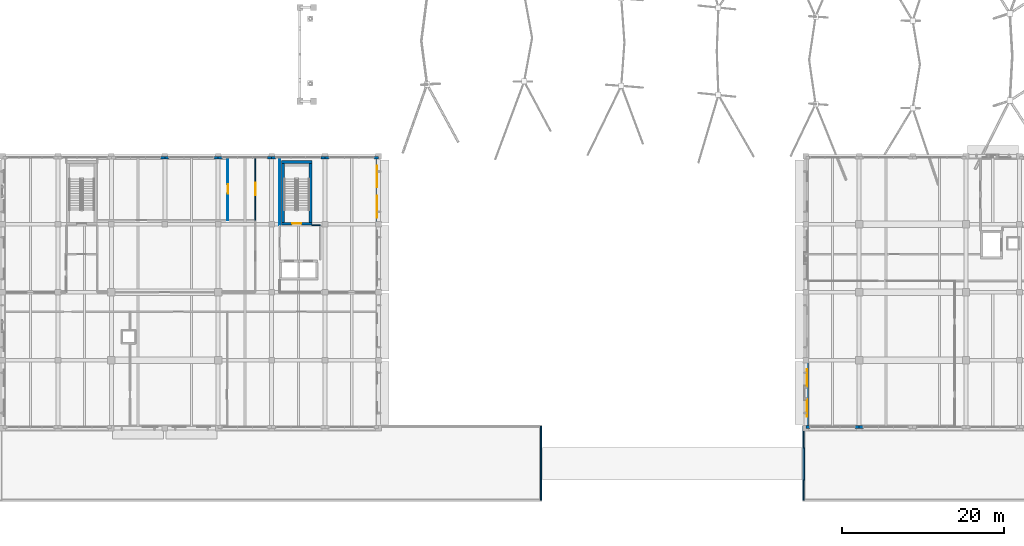
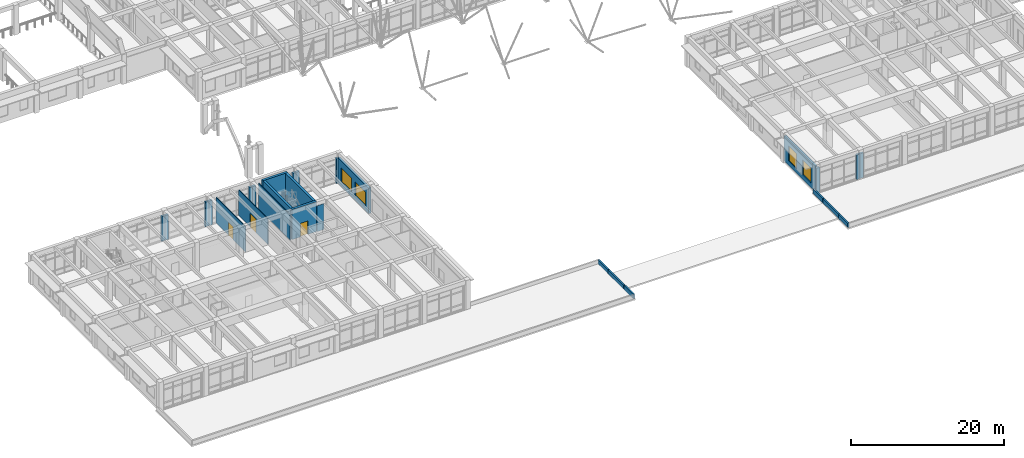
# One storey, part 44 of 75: 28 walls, 4 windows, 3 doors, 7 openings.
"""IFC4 building model written with IfcOpenShell, lengths in metres."""

import ifcopenshell
import ifcopenshell.guid

model = None  # the IFC model being written
_history = None  # IfcOwnerHistory: only IFC2X3 demands one
_inside = {}  # id of a spatial element -> (the spatial element, [elements in it])
_under = {}  # id of a project, library or spatial element -> (it, [spatial elements below it])
_declared = {}  # id of a project -> (the project, [libraries it declares])
_typed = {}  # id of a type object -> (the type object, [elements of that type])
_made_of = {}  # id of a material, layer set ... -> (it, [elements and type objects made of it])


def new_model(schema):
    """Start an empty IFC model of exactly this schema.

    Asked for "IFC4X3", IfcOpenShell would pick the latest addendum, in which some entities
    have other attributes; the version numbers below select the first issue.
    IFC2X3 requires an IfcOwnerHistory on every rooted entity: one is made here for all.
    """
    global model, _history
    if schema == "IFC4X3":
        model = ifcopenshell.file(schema_version=(4, 3, 0, 0))
    else:
        model = ifcopenshell.file(schema=schema)
    _inside.clear()
    _under.clear()
    _declared.clear()
    _typed.clear()
    _made_of.clear()
    _history = None
    if model.schema == "IFC2X3":
        org = make("IfcOrganization", Name="unknown")
        user = make(
            "IfcPersonAndOrganization",
            ThePerson=make("IfcPerson", FamilyName="unknown"),
            TheOrganization=org,
        )
        app = make(
            "IfcApplication",
            ApplicationDeveloper=org,
            Version="unknown",
            ApplicationFullName="unknown",
            ApplicationIdentifier="unknown",
        )
        _history = make(
            "IfcOwnerHistory",
            OwningUser=user,
            OwningApplication=app,
            ChangeAction="ADDED",
            CreationDate=0,
        )
    return model


def make(cls, **values):
    """One entity of the class cls with the attributes given. An attribute that is None is left unset."""
    return model.create_entity(
        cls, **{name: value for name, value in values.items() if value is not None}
    )


def rooted(cls, **values):
    """An entity with a GlobalId (a new one), such as an element, a storey or a relation."""
    return make(cls, GlobalId=ifcopenshell.guid.new(), OwnerHistory=_history, **values)


def si_unit(unit_type, name, prefix=None):
    """IfcSIUnit, for example si_unit("LENGTHUNIT", "METRE", prefix="MILLI")."""
    return make("IfcSIUnit", UnitType=unit_type, Prefix=prefix, Name=name)


def assignment(units):
    """IfcUnitAssignment: the units of a project."""
    return None if units is None else make("IfcUnitAssignment", Units=units)


def point(xyz):
    """IfcCartesianPoint."""
    return None if xyz is None else make("IfcCartesianPoint", Coordinates=xyz)


def direction(xyz):
    """IfcDirection."""
    return None if xyz is None else make("IfcDirection", DirectionRatios=xyz)


def frame(location, z_axis=None, x_axis=None):
    """IfcAxis2Placement3D, a coordinate frame: its origin and axes. An axis left out is left unset."""
    return make(
        "IfcAxis2Placement3D",
        Location=point(location),
        Axis=direction(z_axis),
        RefDirection=direction(x_axis),
    )


def frame_2d(location, x_axis=None):
    """IfcAxis2Placement2D, a coordinate frame in the plane: its origin and x axis."""
    return make(
        "IfcAxis2Placement2D", Location=point(location), RefDirection=direction(x_axis)
    )


def origin():
    """The frame at (0, 0, 0) with its axes left unset."""
    return frame((0.0, 0.0, 0.0))


def place(relative_to, where):
    """IfcLocalPlacement: puts the frame where relative to a parent placement (None: the world)."""
    return make(
        "IfcLocalPlacement", PlacementRelTo=relative_to, RelativePlacement=where
    )


def context(
    kind, dimensions, precision=None, world=None, true_north=None, identifier=None
):
    """IfcGeometricRepresentationContext, for example the 3D "Model" context."""
    return make(
        "IfcGeometricRepresentationContext",
        ContextIdentifier=identifier,
        ContextType=kind,
        CoordinateSpaceDimension=dimensions,
        Precision=precision,
        WorldCoordinateSystem=world,
        TrueNorth=true_north,
    )


def subcontext(parent, identifier, kind, view, scale=None):
    """IfcGeometricRepresentationSubContext, for example "Body" below "Model"."""
    return make(
        "IfcGeometricRepresentationSubContext",
        ContextIdentifier=identifier,
        ContextType=kind,
        ParentContext=parent,
        TargetScale=scale,
        TargetView=view,
    )


def project(units=None, contexts=None):
    """IfcProject with its units and contexts."""
    return rooted(
        "IfcProject",
        Name="project",
        RepresentationContexts=contexts,
        UnitsInContext=assignment(units),
    )


def spatial(cls, under=None, at=None, **own):
    """A site, building, storey or space (cls), placed at a placement, below another one or the project."""
    s = rooted(cls, ObjectPlacement=at, **own)
    if under is not None:
        _under.setdefault(under.id(), (under, []))[1].append(s)
    return s


def profile(cls, at=None, kind="AREA", **sizes):
    """A parametric profile (cls). Its sizes go by their IFC names, for example OverallWidth=200.0."""
    return make(cls, ProfileType=kind, Position=at, **sizes)


def rectangle(**sizes):
    """IfcRectangleProfileDef."""
    return profile("IfcRectangleProfileDef", **sizes)


def extrude(swept, where, along, depth):
    """IfcExtrudedAreaSolid: the profile swept, set in the frame where, extruded along a direction by depth."""
    return make(
        "IfcExtrudedAreaSolid",
        SweptArea=swept,
        Position=where,
        ExtrudedDirection=direction(along),
        Depth=depth,
    )


def shape(context_of_items, identifier, shape_type, items):
    """IfcShapeRepresentation: the items that make up one representation, for example the "Body"."""
    return make(
        "IfcShapeRepresentation",
        ContextOfItems=context_of_items,
        RepresentationIdentifier=identifier,
        RepresentationType=shape_type,
        Items=items,
    )


def material(Name=None, Category=None):
    """IfcMaterial."""
    return make("IfcMaterial", Name=Name, Category=Category)


def layer(
    of_material, thickness, ventilated=None, Name=None, Category=None, Priority=None
):
    """IfcMaterialLayer: one layer of a wall or slab, of a material (None: an air gap)."""
    return make(
        "IfcMaterialLayer",
        Material=of_material,
        LayerThickness=thickness,
        IsVentilated=ventilated,
        Name=Name,
        Category=Category,
        Priority=Priority,
    )


def layer_set(layers, Name=None):
    """IfcMaterialLayerSet."""
    return make("IfcMaterialLayerSet", MaterialLayers=layers, LayerSetName=Name)


def made_of(thing, what):
    """Note that an element or type object is made of a material, layer set ...; save() writes the relation."""
    if what is not None:
        _made_of.setdefault(what.id(), (what, []))[1].append(thing)
    return thing


def type_object(cls, material=None, **own):
    """A type object (cls), such as IfcWallType, which elements share."""
    return made_of(rooted(cls, **own), material)


def element(
    cls,
    number,
    at=None,
    inside=None,
    cuts=None,
    type_object=None,
    material=None,
    context=None,
    identifier="Body",
    shape_type=None,
    held_by="IfcProductDefinitionShape",
    body=None,
    shapes=None,
    **own,
):
    """One element of the class cls, such as IfcWall. Its Tag is "e" and its number.

    at: its placement. inside: the storey or other place that contains it. cuts: it is an
    opening in that element (IfcRelVoidsElement). A single representation is given by context,
    identifier, shape_type and body (its items); several are given by shapes. held_by: the class
    of the entity that holds the representations. save() writes the other relations.
    """
    e = rooted(cls, Tag="e%d" % number, ObjectPlacement=at, **own)
    if body is not None:
        shapes = [shape(context, identifier, shape_type, body)]
    if shapes is not None:
        e.Representation = make(held_by, Representations=shapes)
    if inside is not None:
        _inside.setdefault(inside.id(), (inside, []))[1].append(e)
    if cuts is not None:
        rooted(
            "IfcRelVoidsElement", RelatingBuildingElement=cuts, RelatedOpeningElement=e
        )
    if type_object is not None:
        _typed.setdefault(type_object.id(), (type_object, []))[1].append(e)
    return made_of(e, material)


def fill(opening, filler):
    """IfcRelFillsElement: the door or window that sits in an opening."""
    return rooted(
        "IfcRelFillsElement",
        RelatingOpeningElement=opening,
        RelatedBuildingElement=filler,
    )


def aggregate(whole, parts):
    """IfcRelAggregates: a whole, such as a stair, and the parts it consists of."""
    return rooted("IfcRelAggregates", RelatingObject=whole, RelatedObjects=parts)


def save(model, path):
    """Write the relations noted so far, then the file.

    IfcRelAggregates (storeys below a building ...), IfcRelContainedInSpatialStructure (elements
    in a storey), IfcRelDefinesByType, IfcRelAssociatesMaterial and IfcRelDeclares: one each for
    every whole, place, type object, material and project.
    """
    for whole, parts in _under.values():
        aggregate(whole, parts)
    for where, things in _inside.values():
        rooted(
            "IfcRelContainedInSpatialStructure",
            RelatedElements=things,
            RelatingStructure=where,
        )
    for kind, things in _typed.values():
        rooted("IfcRelDefinesByType", RelatedObjects=things, RelatingType=kind)
    for what, things in _made_of.values():
        rooted("IfcRelAssociatesMaterial", RelatedObjects=things, RelatingMaterial=what)
    for by, libraries in _declared.values():
        rooted("IfcRelDeclares", RelatingContext=by, RelatedDefinitions=libraries)
    model.write(path)


model = new_model("IFC4")

# Units and contexts
model_context = context("Model", 3, precision=1e-05, world=origin(), true_north=direction((0.0, 1.0)))
body_context = subcontext(model_context, "Body", "Model", "MODEL_VIEW")
ifc_project = project(units=[si_unit("LENGTHUNIT", "METRE"), si_unit("AREAUNIT", "SQUARE_METRE"), si_unit("VOLUMEUNIT", "CUBIC_METRE"), si_unit("PLANEANGLEUNIT", "RADIAN"), si_unit("MASSUNIT", "GRAM", prefix="KILO")], contexts=[model_context])

# Site, building, storey
site_placement = place(None, origin())
site = spatial("IfcSite", under=ifc_project, at=site_placement, CompositionType="ELEMENT")
building_placement = place(site_placement, origin())
building = spatial("IfcBuilding", under=site, at=building_placement, Name="Kolvaren Faculty of Natural Sciences", CompositionType="ELEMENT")
storey_placement = place(building_placement, frame((0.0, 0.0, 5.39990234375)))
storey = spatial("IfcBuildingStorey", under=building, at=storey_placement, Name="L01", CompositionType="ELEMENT", Elevation=5.39990234375)

# Wall, opening, door
ifc_material_1 = material(Name="Concrete C40/50", Category="concrete")
ifc_layer_1 = layer(ifc_material_1, 0.35009765625)
ifc_layer_set_1 = layer_set([ifc_layer_1], Name="Concrete C40/50")
wall_type_1 = type_object("IfcWallType", Name="CoreShearWall_350", PredefinedType="SHEAR", material=ifc_layer_set_1)
wall_1_placement = place(storey_placement, frame((34.425048828125, 33.875, 0.0), z_axis=(0.0, 0.0, 1.0), x_axis=(1.0, 0.0, 0.0)))
wall_1 = element("IfcWall", 1, at=wall_1_placement, inside=storey, type_object=wall_type_1, Name="L01 CORE-C4 stair shear wall S", PredefinedType="SHEAR", context=body_context, shape_type="SweptSolid", body=[
    extrude(rectangle(XDim=3.75, YDim=0.35009765625, at=frame_2d((1.875, 0.0))), origin(), (0.0, 0.0, 1.0), 4.800048828125),
])
opening_1_placement = place(wall_1_placement, frame((1.300048828125, 0.0, 0.0)))
opening_1 = element("IfcOpeningElement", 2, at=opening_1_placement, cuts=wall_1, Name="Opening FD90", PredefinedType="OPENING", context=body_context, shape_type="SweptSolid", body=[
    extrude(rectangle(XDim=1.14990234375, YDim=2.14990234375, at=frame_2d((0.574951171875, 1.074951171875))), frame((0.0, 0.18505859375, 0.0), z_axis=(0.0, -1.0, 0.0), x_axis=(1.0, 0.0, 0.0)), (0.0, 0.0, 1.0), 0.3701171875),
])
ifc_material_2 = material(Name="Fire-rated solid-core hardwood door leaf in steel frame", Category="steel")
door_type_1 = type_object("IfcDoorType", Name="StairCoreFireDoor_1150x2150", OperationType="NOTDEFINED", PredefinedType="DOOR", material=ifc_material_2)
door_1_placement = place(opening_1_placement, origin())
door_1 = element("IfcDoor", 3, at=door_1_placement, inside=storey, type_object=door_type_1, Name="D-ST-ST-4-L01", OperationType="SINGLE_SWING_LEFT", OverallHeight=2.14990234375, OverallWidth=1.14990234375, PredefinedType="DOOR", context=body_context, shape_type="SweptSolid", body=[
    extrude(rectangle(XDim=1.14990234375, YDim=2.14990234375, at=frame_2d((0.574951171875, 1.074951171875))), frame((0.0, 0.02490234375, 0.0), z_axis=(0.0, -1.0, 0.0), x_axis=(1.0, 0.0, 0.0)), (0.0, 0.0, 1.0), 0.050048828125),
])
fill(opening_1, door_1)

# Walls
wall_2_placement = place(storey_placement, frame((34.425048828125, 41.5, 0.0), z_axis=(0.0, 0.0, 1.0), x_axis=(1.0, 0.0, 0.0)))
element("IfcWall", 4, at=wall_2_placement, inside=storey, type_object=wall_type_1, Name="L01 CORE-C4 stair shear wall N", PredefinedType="SHEAR", context=body_context, shape_type="SweptSolid", body=[
    extrude(rectangle(XDim=3.75, YDim=0.35009765625, at=frame_2d((1.875, 0.0))), origin(), (0.0, 0.0, 1.0), 4.800048828125),
])
for number, where, z_axis, x_axis, name in (
    (5, (34.60009765625, 34.050048828125, 0.0), (0.0, 0.0, 1.0), (0.0, 1.0, 0.0), "L01 CORE-C4 stair shear wall W"),
    (6, (38.0, 34.050048828125, 0.0), (0.0, 0.0, 1.0), (0.0, 1.0, 0.0), "L01 CORE-C4 stair shear wall E"),
):
    element("IfcWall", number, at=place(storey_placement, frame(where, z_axis=z_axis, x_axis=x_axis)), inside=storey, type_object=wall_type_1, Name=name, PredefinedType="SHEAR", context=body_context, shape_type="SweptSolid", body=[
        extrude(rectangle(XDim=7.27490234375, YDim=0.35009765625, at=frame_2d((3.637451171875, 0.0))), origin(), (0.0, 0.0, 1.0), 4.800048828125),
    ])

# Wall, openings, windows
ifc_material_3 = material(Name="Sandstone-faced insulated cavity masonry", Category="masonry")
ifc_layer_2 = layer(ifc_material_3, 0.320068359375)
ifc_layer_set_2 = layer_set([ifc_layer_2], Name="Sandstone-faced insulated cavity masonry")
wall_type_2 = type_object("IfcWallType", Name="ExteriorCavityWall_320", PredefinedType="STANDARD", material=ifc_layer_set_2)
wall_3_placement = place(storey_placement, frame((46.239990234375, 41.8798828125, 0.0), z_axis=(0.0, 0.0, 1.0), x_axis=(0.0, -1.0, 0.0)))
wall_3 = element("IfcWall", 7, at=wall_3_placement, inside=storey, type_object=wall_type_2, Name="L01 exterior masonry wall EW-320 (149)", PredefinedType="STANDARD", context=body_context, shape_type="SweptSolid", body=[
    extrude(rectangle(XDim=8.079833984375, YDim=0.320068359375, at=frame_2d((4.0400390625, 0.0))), origin(), (0.0, 0.0, 1.0), 4.085205078125),
])
opening_2_placement = place(wall_3_placement, frame((0.83154296875, 0.0, 0.75)))
opening_2 = element("IfcOpeningElement", 8, at=opening_2_placement, cuts=wall_3, Name="Opening WIN-11", PredefinedType="OPENING", context=body_context, shape_type="SweptSolid", body=[
    extrude(rectangle(XDim=2.699951171875, YDim=2.199951171875, at=frame_2d((1.35009765625, 1.10009765625))), frame((0.0, 0.169921875, 0.0), z_axis=(0.0, -1.0, 0.0), x_axis=(1.0, 0.0, 0.0)), (0.0, 0.0, 1.0), 0.340087890625),
])
opening_3_placement = place(wall_3_placement, frame((4.54833984375, 0.0, 0.75)))
opening_3 = element("IfcOpeningElement", 9, at=opening_3_placement, cuts=wall_3, Name="Opening WIN-11", PredefinedType="OPENING", context=body_context, shape_type="SweptSolid", body=[
    extrude(rectangle(XDim=2.699951171875, YDim=2.199951171875, at=frame_2d((1.35009765625, 1.10009765625))), frame((0.0, 0.169921875, 0.0), z_axis=(0.0, -1.0, 0.0), x_axis=(1.0, 0.0, 0.0)), (0.0, 0.0, 1.0), 0.340087890625),
])
ifc_material_4 = material(Name="Double low-E solar control insulated glazing", Category="glass")
window_type_1 = type_object("IfcWindowType", Name="AluWindow_WIN11_2700x2200", PartitioningType="SINGLE_PANEL", PredefinedType="WINDOW", material=ifc_material_4)
window_1_placement = place(opening_2_placement, origin())
window_1 = element("IfcWindow", 10, at=window_1_placement, inside=storey, type_object=window_type_1, Name="WIN-L01-0149", OverallHeight=2.199951171875, OverallWidth=2.699951171875, PartitioningType="SINGLE_PANEL", PredefinedType="WINDOW", context=body_context, shape_type="SweptSolid", body=[
    extrude(rectangle(XDim=2.699951171875, YDim=2.199951171875, at=frame_2d((1.35009765625, 1.10009765625))), frame((0.0, 0.030029296875, 0.0), z_axis=(0.0, -1.0, 0.0), x_axis=(1.0, 0.0, 0.0)), (0.0, 0.0, 1.0), 0.06005859375),
])
fill(opening_2, window_1)
window_2_placement = place(opening_3_placement, origin())
window_2 = element("IfcWindow", 11, at=window_2_placement, inside=storey, type_object=window_type_1, Name="WIN-L01-0150", OverallHeight=2.199951171875, OverallWidth=2.699951171875, PartitioningType="SINGLE_PANEL", PredefinedType="WINDOW", context=body_context, shape_type="SweptSolid", body=[
    extrude(rectangle(XDim=2.699951171875, YDim=2.199951171875, at=frame_2d((1.35009765625, 1.10009765625))), frame((0.0, 0.030029296875, 0.0), z_axis=(0.0, -1.0, 0.0), x_axis=(1.0, 0.0, 0.0)), (0.0, 0.0, 1.0), 0.06005859375),
])
fill(opening_3, window_2)

# Walls
for number, where, z_axis, x_axis, name in (
    (12, (19.47998046875, 42.0400390625, 0.0), (0.0, 0.0, 1.0), (1.0, 0.0, 0.0), "L01 curtain-wall pier stub 174"),
    (13, (20.0, 42.0400390625, 0.0), (0.0, 0.0, 1.0), (1.0, 0.0, 0.0), "L01 curtain-wall pier stub 175"),
    (14, (26.080078125, 42.0400390625, 0.0), (0.0, 0.0, 1.0), (1.0, 0.0, 0.0), "L01 curtain-wall pier stub 176"),
    (15, (26.60009765625, 42.0400390625, 0.0), (0.0, 0.0, 1.0), (1.0, 0.0, 0.0), "L01 curtain-wall pier stub 177"),
    (16, (32.679931640625, 42.0400390625, 0.0), (0.0, 0.0, 1.0), (1.0, 0.0, 0.0), "L01 curtain-wall pier stub 178"),
    (17, (33.199951171875, 42.0400390625, 0.0), (0.0, 0.0, 1.0), (1.0, 0.0, 0.0), "L01 curtain-wall pier stub 179"),
    (18, (39.280029296875, 42.0400390625, 0.0), (0.0, 0.0, 1.0), (1.0, 0.0, 0.0), "L01 curtain-wall pier stub 180"),
    (19, (39.800048828125, 42.0400390625, 0.0), (0.0, 0.0, 1.0), (1.0, 0.0, 0.0), "L01 curtain-wall pier stub 181"),
    (20, (45.8798828125, 42.0400390625, 0.0), (0.0, 0.0, 1.0), (1.0, 0.0, 0.0), "L01 curtain-wall pier stub 182"),
    (21, (106.320068359375, 8.760009765625, 0.0), (0.0, 0.0, 1.0), (-1.0, 0.0, 0.0), "L01 curtain-wall pier stub 241"),
    (22, (105.800048828125, 8.760009765625, 0.0), (0.0, 0.0, 1.0), (-1.0, 0.0, 0.0), "L01 curtain-wall pier stub 242"),
    (23, (99.719970703125, 8.760009765625, 0.0), (0.0, 0.0, 1.0), (-1.0, 0.0, 0.0), "L01 curtain-wall pier stub 243"),
):
    element("IfcWall", number, at=place(storey_placement, frame(where, z_axis=z_axis, x_axis=x_axis)), inside=storey, type_object=wall_type_2, Name=name, PredefinedType="STANDARD", context=body_context, shape_type="SweptSolid", body=[
        extrude(rectangle(XDim=0.52001953125, YDim=0.320068359375, at=frame_2d((0.260009765625, 0.0))), origin(), (0.0, 0.0, 1.0), 3.93505859375),
    ])

# Wall, openings, windows
wall_4_placement = place(storey_placement, frame((99.360107421875, 8.919921875, 0.0), z_axis=(0.0, 0.0, 1.0), x_axis=(0.0, 1.0, 0.0)))
wall_4 = element("IfcWall", 24, at=wall_4_placement, inside=storey, type_object=wall_type_2, Name="L01 exterior masonry wall EW-320 (244)", PredefinedType="STANDARD", context=body_context, shape_type="SweptSolid", body=[
    extrude(rectangle(XDim=8.080078125, YDim=0.320068359375, at=frame_2d((4.0400390625, 0.0))), origin(), (0.0, 0.0, 1.0), 4.085205078125),
])
opening_4_placement = place(wall_4_placement, frame((1.106689453125, 0.0, 0.75)))
opening_4 = element("IfcOpeningElement", 25, at=opening_4_placement, cuts=wall_4, Name="Opening WIN-22", PredefinedType="OPENING", context=body_context, shape_type="SweptSolid", body=[
    extrude(rectangle(XDim=2.14990234375, YDim=2.39990234375, at=frame_2d((1.074951171875, 1.199951171875))), frame((0.0, 0.169921875, 0.0), z_axis=(0.0, -1.0, 0.0), x_axis=(1.0, 0.0, 0.0)), (0.0, 0.0, 1.0), 0.340087890625),
])
opening_5_placement = place(wall_4_placement, frame((4.823486328125, 0.0, 0.75)))
opening_5 = element("IfcOpeningElement", 26, at=opening_5_placement, cuts=wall_4, Name="Opening WIN-22", PredefinedType="OPENING", context=body_context, shape_type="SweptSolid", body=[
    extrude(rectangle(XDim=2.14990234375, YDim=2.39990234375, at=frame_2d((1.074951171875, 1.199951171875))), frame((0.0, 0.169921875, 0.0), z_axis=(0.0, -1.0, 0.0), x_axis=(1.0, 0.0, 0.0)), (0.0, 0.0, 1.0), 0.340087890625),
])
window_type_2 = type_object("IfcWindowType", Name="AluWindow_WIN22_2150x2400", PartitioningType="SINGLE_PANEL", PredefinedType="WINDOW", material=ifc_material_4)
window_3_placement = place(opening_4_placement, origin())
window_3 = element("IfcWindow", 27, at=window_3_placement, inside=storey, type_object=window_type_2, Name="WIN-L01-0207", OverallHeight=2.39990234375, OverallWidth=2.14990234375, PartitioningType="SINGLE_PANEL", PredefinedType="WINDOW", context=body_context, shape_type="SweptSolid", body=[
    extrude(rectangle(XDim=2.14990234375, YDim=2.39990234375, at=frame_2d((1.074951171875, 1.199951171875))), frame((0.0, 0.030029296875, 0.0), z_axis=(0.0, -1.0, 0.0), x_axis=(1.0, 0.0, 0.0)), (0.0, 0.0, 1.0), 0.06005859375),
])
fill(opening_4, window_3)
window_4_placement = place(opening_5_placement, origin())
window_4 = element("IfcWindow", 28, at=window_4_placement, inside=storey, type_object=window_type_2, Name="WIN-L01-0208", OverallHeight=2.39990234375, OverallWidth=2.14990234375, PartitioningType="SINGLE_PANEL", PredefinedType="WINDOW", context=body_context, shape_type="SweptSolid", body=[
    extrude(rectangle(XDim=2.14990234375, YDim=2.39990234375, at=frame_2d((1.074951171875, 1.199951171875))), frame((0.0, 0.030029296875, 0.0), z_axis=(0.0, -1.0, 0.0), x_axis=(1.0, 0.0, 0.0)), (0.0, 0.0, 1.0), 0.06005859375),
])
fill(opening_5, window_4)

# Walls
ifc_material_5 = material(Name="Precast concrete C35/45", Category="concrete")
ifc_layer_3 = layer(ifc_material_5, 0.219970703125)
ifc_layer_set_3 = layer_set([ifc_layer_3], Name="Precast concrete C35/45")
wall_type_3 = type_object("IfcWallType", Name="ParapetUpstandWall_220", PredefinedType="PARAPET", material=ifc_layer_set_3)
wall_5_placement = place(storey_placement, frame((98.929931640625, 2.199951171875, 0.0), z_axis=(0.0, 0.0, 1.0), x_axis=(0.0, 1.0, 0.0)))
element("IfcWall", 29, at=wall_5_placement, inside=storey, type_object=wall_type_3, Name="L01 architectural sandstone roof parapet 1", PredefinedType="PARAPET", context=body_context, shape_type="SweptSolid", body=[
    extrude(rectangle(XDim=4.0, YDim=0.219970703125, at=frame_2d((2.0, 0.0))), origin(), (0.0, 0.0, 1.0), 0.68017578125),
])
wall_6_placement = place(storey_placement, frame((98.919921875, 6.259033203125, 0.0), z_axis=(0.0, 0.0, 1.0), x_axis=(0.0, 1.0, 0.0)))
element("IfcWall", 30, at=wall_6_placement, inside=storey, type_object=wall_type_3, Name="L01 architectural sandstone roof parapet 2", PredefinedType="PARAPET", context=body_context, shape_type="SweptSolid", body=[
    extrude(rectangle(XDim=2.571044921875, YDim=0.219970703125, at=frame_2d((1.28564453125, 0.0))), origin(), (0.0, 0.0, 1.0), 0.68017578125),
])
wall_7_placement = place(storey_placement, frame((98.919921875, -0.280029296875, 0.0), z_axis=(0.0, 0.0, 1.0), x_axis=(0.0, 1.0, 0.0)))
element("IfcWall", 31, at=wall_7_placement, inside=storey, type_object=wall_type_3, Name="L01 architectural sandstone roof parapet 5", PredefinedType="PARAPET", context=body_context, shape_type="SweptSolid", body=[
    extrude(rectangle(XDim=2.421142578125, YDim=0.219970703125, at=frame_2d((1.21044921875, 0.0))), origin(), (0.0, 0.0, 1.0), 0.68017578125),
])
wall_8_placement = place(storey_placement, frame((66.47998046875, 8.8798828125, 0.0), z_axis=(0.0, 0.0, 1.0), x_axis=(0.0, -1.0, 0.0)))
element("IfcWall", 32, at=wall_8_placement, inside=storey, type_object=wall_type_3, Name="L01 architectural sandstone roof parapet 8", PredefinedType="PARAPET", context=body_context, shape_type="SweptSolid", body=[
    extrude(rectangle(XDim=2.620849609375, YDim=0.219970703125, at=frame_2d((1.310546875, 0.0))), origin(), (0.0, 0.0, 1.0), 0.68017578125),
])
wall_9_placement = place(storey_placement, frame((66.469970703125, 6.199951171875, 0.0), z_axis=(0.0, 0.0, 1.0), x_axis=(0.0, -1.0, 0.0)))
element("IfcWall", 33, at=wall_9_placement, inside=storey, type_object=wall_type_3, Name="L01 architectural sandstone roof parapet 9", PredefinedType="PARAPET", context=body_context, shape_type="SweptSolid", body=[
    extrude(rectangle(XDim=4.0, YDim=0.219970703125, at=frame_2d((2.0, 0.0))), origin(), (0.0, 0.0, 1.0), 0.68017578125),
])
wall_10_placement = place(storey_placement, frame((66.47998046875, 2.14111328125, 0.0), z_axis=(0.0, 0.0, 1.0), x_axis=(0.0, -1.0, 0.0)))
element("IfcWall", 34, at=wall_10_placement, inside=storey, type_object=wall_type_3, Name="L01 architectural sandstone roof parapet 10", PredefinedType="PARAPET", context=body_context, shape_type="SweptSolid", body=[
    extrude(rectangle(XDim=2.421142578125, YDim=0.219970703125, at=frame_2d((1.21044921875, 0.0))), origin(), (0.0, 0.0, 1.0), 0.68017578125),
])
ifc_material_6 = material(Name="Double fire-rated gypsum board on 100 mm steel stud", Category="steel")
ifc_layer_4 = layer(ifc_material_6, 0.14990234375)
ifc_layer_set_4 = layer_set([ifc_layer_4], Name="Double fire-rated gypsum board on 100 mm steel stud")
wall_type_4 = type_object("IfcWallType", Name="RatedCorridorWall_150", PredefinedType="PARTITIONING", material=ifc_layer_set_4)
wall_11_placement = place(storey_placement, frame((38.175048828125, 33.699951171875, 0.0), z_axis=(0.0, 0.0, 1.0), x_axis=(1.0, 0.0, 0.0)))
element("IfcWall", 35, at=wall_11_placement, inside=storey, type_object=wall_type_4, Name="L01 interior partition LW-150", PredefinedType="PARTITIONING", context=body_context, shape_type="SweptSolid", body=[
    extrude(rectangle(XDim=1.02490234375, YDim=0.14990234375, at=frame_2d((0.512451171875, 0.0))), origin(), (0.0, 0.0, 1.0), 4.135009765625),
])

# Wall, opening, door
ifc_material_7 = material(Name="Acoustic mineral-wool insulated gypsum partition")
ifc_layer_5 = layer(ifc_material_7, 0.1201171875)
ifc_layer_set_5 = layer_set([ifc_layer_5], Name="Acoustic mineral-wool insulated gypsum partition")
wall_type_5 = type_object("IfcWallType", Name="StudioPartitionWall_120", PredefinedType="PARTITIONING", material=ifc_layer_set_5)
wall_12_placement = place(storey_placement, frame((27.800048828125, 42.0, 0.0), z_axis=(0.0, 0.0, 1.0), x_axis=(0.0, -1.0, 0.0)))
wall_12 = element("IfcWall", 36, at=wall_12_placement, inside=storey, type_object=wall_type_5, Name="L01 interior partition PW-120", PredefinedType="PARTITIONING", context=body_context, shape_type="SweptSolid", body=[
    extrude(rectangle(XDim=7.699951171875, YDim=0.1201171875, at=frame_2d((3.85009765625, 0.0))), origin(), (0.0, 0.0, 1.0), 4.085205078125),
])
opening_6_placement = place(wall_12_placement, frame((3.280029296875, 0.0, 0.0)))
opening_6 = element("IfcOpeningElement", 37, at=opening_6_placement, cuts=wall_12, Name="Opening ID-11", PredefinedType="OPENING", context=body_context, shape_type="SweptSolid", body=[
    extrude(rectangle(XDim=1.139892578125, YDim=2.06005859375, at=frame_2d((0.56982421875, 1.030029296875))), frame((0.0, 0.070068359375, 0.0), z_axis=(0.0, -1.0, 0.0), x_axis=(1.0, 0.0, 0.0)), (0.0, 0.0, 1.0), 0.14013671875),
])
ifc_material_8 = material(Name="Solid-core hardwood veneer door leaf in steel frame", Category="steel")
door_type_2 = type_object("IfcDoorType", Name="InteriorRoomDoor_1140x2060", OperationType="NOTDEFINED", PredefinedType="DOOR", material=ifc_material_8)
door_2_placement = place(opening_6_placement, origin())
door_2 = element("IfcDoor", 38, at=door_2_placement, inside=storey, type_object=door_type_2, Name="D-L01-0140", OperationType="SINGLE_SWING_RIGHT", OverallHeight=2.06005859375, OverallWidth=1.139892578125, PredefinedType="DOOR", context=body_context, shape_type="SweptSolid", body=[
    extrude(rectangle(XDim=1.139892578125, YDim=2.06005859375, at=frame_2d((0.56982421875, 1.030029296875))), frame((0.0, 0.02490234375, 0.0), z_axis=(0.0, -1.0, 0.0), x_axis=(1.0, 0.0, 0.0)), (0.0, 0.0, 1.0), 0.050048828125),
])
fill(opening_6, door_2)

wall_13_placement = place(storey_placement, frame((31.199951171875, 42.0, 0.0), z_axis=(0.0, 0.0, 1.0), x_axis=(0.0, -1.0, 0.0)))
wall_13 = element("IfcWall", 39, at=wall_13_placement, inside=storey, type_object=wall_type_5, Name="L01 interior partition PW-120", PredefinedType="PARTITIONING", context=body_context, shape_type="SweptSolid", body=[
    extrude(rectangle(XDim=7.699951171875, YDim=0.1201171875, at=frame_2d((3.85009765625, 0.0))), origin(), (0.0, 0.0, 1.0), 4.085205078125),
])
opening_7_placement = place(wall_13_placement, frame((3.080078125, 0.0, 0.0)))
opening_7 = element("IfcOpeningElement", 40, at=opening_7_placement, cuts=wall_13, Name="Opening ID-33", PredefinedType="OPENING", context=body_context, shape_type="SweptSolid", body=[
    extrude(rectangle(XDim=1.5400390625, YDim=2.199951171875, at=frame_2d((0.77001953125, 1.10009765625))), frame((0.0, 0.070068359375, 0.0), z_axis=(0.0, -1.0, 0.0), x_axis=(1.0, 0.0, 0.0)), (0.0, 0.0, 1.0), 0.14013671875),
])
ifc_material_9 = material(Name="Thermally broken anodised aluminium glazed door", Category="aluminium")
door_type_3 = type_object("IfcDoorType", Name="InteriorRoomDoor_1540x2200", OperationType="DOUBLE_DOOR_SINGLE_SWING", PredefinedType="DOOR", material=ifc_material_9)
door_3_placement = place(opening_7_placement, origin())
door_3 = element("IfcDoor", 41, at=door_3_placement, inside=storey, type_object=door_type_3, Name="D-L01-0169", OperationType="DOUBLE_DOOR_SINGLE_SWING", OverallHeight=2.199951171875, OverallWidth=1.5400390625, PredefinedType="DOOR", context=body_context, shape_type="SweptSolid", body=[
    extrude(rectangle(XDim=1.5400390625, YDim=2.199951171875, at=frame_2d((0.77001953125, 1.10009765625))), frame((0.0, 0.02490234375, 0.0), z_axis=(0.0, -1.0, 0.0), x_axis=(1.0, 0.0, 0.0)), (0.0, 0.0, 1.0), 0.050048828125),
])
fill(opening_7, door_3)

# Wall
ifc_layer_6 = layer(ifc_material_7, 0.10498046875)
ifc_layer_set_6 = layer_set([ifc_layer_6], Name="Acoustic mineral-wool insulated gypsum partition")
wall_type_6 = type_object("IfcWallType", Name="WetRoomPartition_105", PredefinedType="PARTITIONING", material=ifc_layer_set_6)
wall_14_placement = place(storey_placement, frame((34.199951171875, 33.699951171875, 0.0), z_axis=(0.0, 0.0, 1.0), x_axis=(0.0, 1.0, 0.0)))
element("IfcWall", 42, at=wall_14_placement, inside=storey, type_object=wall_type_6, Name="L01 interior partition PW-105", PredefinedType="PARTITIONING", context=body_context, shape_type="SweptSolid", body=[
    extrude(rectangle(XDim=8.300048828125, YDim=0.10498046875, at=frame_2d((4.14990234375, 0.0))), origin(), (0.0, 0.0, 1.0), 4.085205078125),
])

save(model, "model.ifc")
